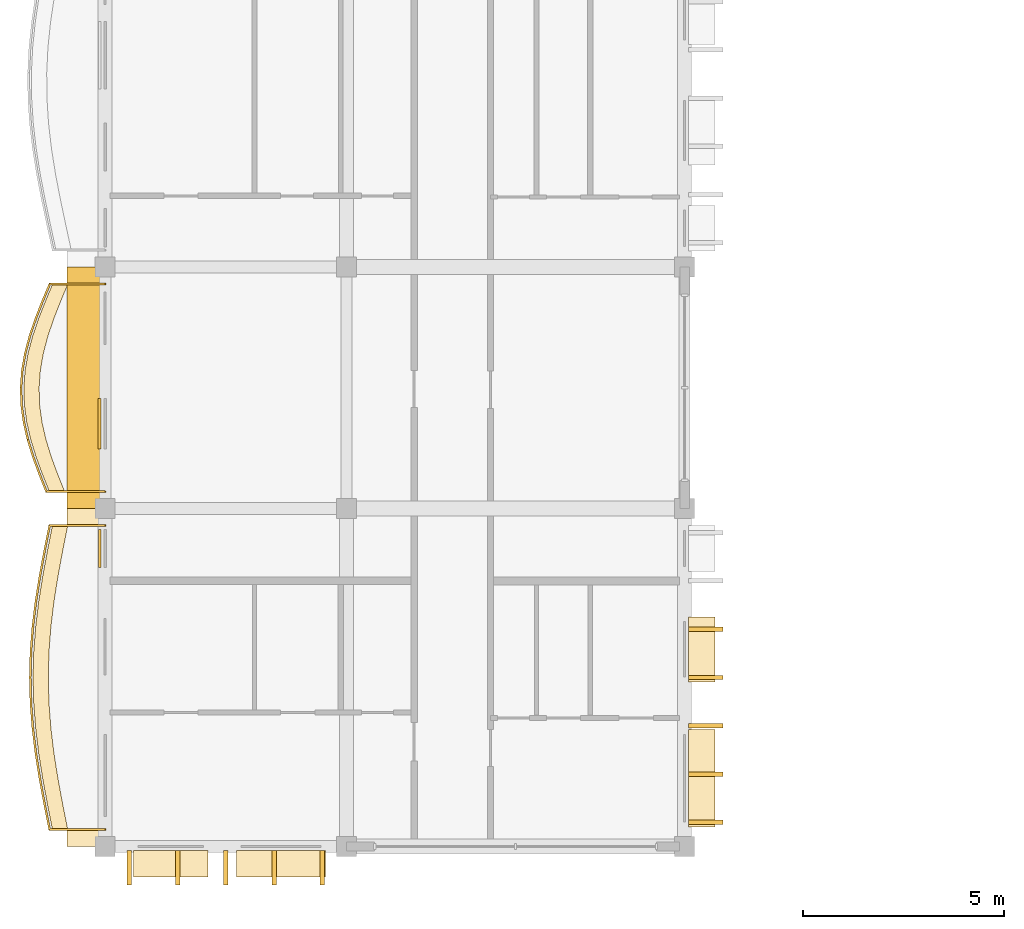
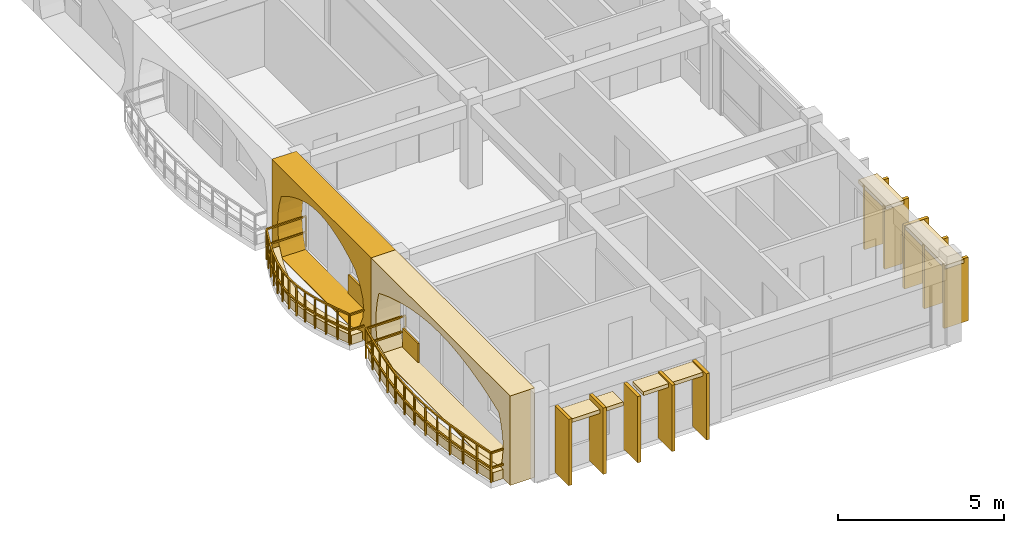
# One storey, part 8 of 10: 20 coverings, 2 railings.
"""IFC4 building model written with IfcOpenShell, lengths in metres."""

from ifc_helpers import new_model, si_unit, direction, frame, origin, origin_2d, place, context, subcontext, project, spatial, polyline, rectangle, outline, extrude, material, layer, layer_set, type_object, element, save


model = new_model("IFC4")

# Units and contexts
model_context = context("Model", 3, precision=1e-05, world=origin(), true_north=direction((0.0, 1.0)))
body_context = subcontext(model_context, "Body", "Model", "MODEL_VIEW")
ifc_project = project(units=[si_unit("LENGTHUNIT", "METRE"), si_unit("AREAUNIT", "SQUARE_METRE"), si_unit("VOLUMEUNIT", "CUBIC_METRE"), si_unit("PLANEANGLEUNIT", "RADIAN"), si_unit("MASSUNIT", "GRAM", prefix="KILO"), si_unit("THERMODYNAMICTEMPERATUREUNIT", "KELVIN")], contexts=[model_context])

# Site, building, storey
site_placement = place(None, origin())
site = spatial("IfcSite", under=ifc_project, at=site_placement, CompositionType="ELEMENT")
building_placement = place(site_placement, origin())
building = spatial("IfcBuilding", under=site, at=building_placement, Name="Thalorik Housing Commons", CompositionType="ELEMENT")
storey_placement = place(building_placement, frame((0.0, 0.0, 44.39990234375)))
storey = spatial("IfcBuildingStorey", under=building, at=storey_placement, Name="L13", CompositionType="ELEMENT", Elevation=44.39990234375)

# Coverings
ifc_material_1 = material(Name="Precast concrete C40/50", Category="concrete")
ifc_layer_1 = layer(ifc_material_1, 0.85009765625, Name="Precast concrete C40/50", Category="concrete")
ifc_layer_set_1 = layer_set([ifc_layer_1], Name="Precast concrete C40/50")
covering_type_1 = type_object("IfcCoveringType", Name="ARC-CLD-CUSH-850", PredefinedType="CLADDING", material=ifc_layer_set_1)
covering_1_placement = place(storey_placement, frame((7.87255859375, 97.800048828125, 0.0), z_axis=(0.0, 0.0, 1.0), x_axis=(0.0, -1.0, 0.0)))
element("IfcCovering", 1, at=covering_1_placement, inside=storey, type_object=covering_type_1, Name="L13 White Precast Curved Cushion Bay Frame 1287", PredefinedType="CLADDING", context=body_context, shape_type="SweptSolid", body=[
    extrude(outline(polyline([(-3.0, 0.0), (3.0, 0.0), (3.0, 3.300048828125), (-3.0, 3.300048828125), (-3.0, 0.0)]), holes=[polyline([(2.0400390625, 0.02490234375), (2.3232421875, 0.399169921875), (2.493408203125, 0.773193359375), (2.550048828125, 1.1474609375), (2.493408203125, 1.521728515625), (2.3232421875, 1.895751953125), (2.0400390625, 2.27001953125), (1.66748046875, 2.50439453125), (1.294921875, 2.6884765625), (0.922607421875, 2.837646484375), (0.550048828125, 2.948486328125), (0.177490234375, 3.016845703125), (-0.195068359375, 3.0400390625), (-0.5673828125, 3.016845703125), (-0.93994140625, 2.948486328125), (-1.3125, 2.837646484375), (-1.68505859375, 2.6884765625), (-2.0576171875, 2.50439453125), (-2.429931640625, 2.27001953125), (-2.55029296875, 1.895751953125), (-2.62255859375, 1.521728515625), (-2.646484375, 1.1474609375), (-2.62255859375, 0.773193359375), (-2.55029296875, 0.399169921875), (-2.429931640625, 0.02490234375), (2.0400390625, 0.02490234375)])]), frame((0.0, 0.425048828125, 0.0), z_axis=(0.0, -1.0, 0.0), x_axis=(1.0, 0.0, 0.0)), (0.0, 0.0, 1.0), 0.85009765625),
])
covering_2_placement = place(storey_placement, frame((7.87255859375, 90.60009765625, 0.0), z_axis=(0.0, 0.0, 1.0), x_axis=(0.0, -1.0, 0.0)))
element("IfcCovering", 2, at=covering_2_placement, inside=storey, type_object=covering_type_1, Name="L13 White Precast Curved Cushion Bay Frame 1289", PredefinedType="CLADDING", context=body_context, shape_type="SweptSolid", body=[
    extrude(outline(polyline([(-4.199951171875, 0.0), (4.199951171875, 0.0), (4.199951171875, 3.300048828125), (-4.199951171875, 3.300048828125), (-4.199951171875, 0.0)]), holes=[polyline([(3.510009765625, 0.02490234375), (3.65576171875, 0.40087890625), (3.7431640625, 0.776611328125), (3.772216796875, 1.152587890625), (3.7431640625, 1.5283203125), (3.65576171875, 1.904296875), (3.510009765625, 2.280029296875), (2.90673828125, 2.51123046875), (2.30322265625, 2.693115234375), (1.699951171875, 2.840087890625), (1.0966796875, 2.94970703125), (0.493408203125, 3.01708984375), (-0.110107421875, 3.0400390625), (-0.71337890625, 3.01708984375), (-1.316650390625, 2.94970703125), (-1.919921875, 2.840087890625), (-2.523193359375, 2.693115234375), (-3.126708984375, 2.51123046875), (-3.72998046875, 2.280029296875), (-3.8291015625, 1.904296875), (-3.888916015625, 1.5283203125), (-3.90869140625, 1.152587890625), (-3.888916015625, 0.776611328125), (-3.8291015625, 0.40087890625), (-3.72998046875, 0.02490234375), (3.510009765625, 0.02490234375)])]), frame((0.0, 0.425048828125, 0.0), z_axis=(0.0, -1.0, 0.0), x_axis=(1.0, 0.0, 0.0)), (0.0, 0.0, 1.0), 0.85009765625),
])
ifc_layer_2 = layer(ifc_material_1, 0.85009765625, Name="Precast concrete C40/50", Category="concrete")
ifc_layer_set_2 = layer_set([ifc_layer_2], Name="Precast concrete C40/50")
covering_type_2 = type_object("IfcCoveringType", Name="ARC-CLD-FIN-850", PredefinedType="CLADDING", material=ifc_layer_set_2)
for number, where, z_axis, x_axis, name in (
    (3, (9.0, 85.87255859375, 0.0400390625), (0.0, 0.0, 1.0), (1.0, 0.0, 0.0), "L13 Courtyard Precast Vertical Brise-Soleil Fin 1291"),
    (4, (10.199951171875, 85.87255859375, 0.0400390625), (0.0, 0.0, 1.0), (1.0, 0.0, 0.0), "L13 Courtyard Precast Vertical Brise-Soleil Fin 1292"),
    (5, (11.39990234375, 85.87255859375, 0.0400390625), (0.0, 0.0, 1.0), (1.0, 0.0, 0.0), "L13 Courtyard Precast Vertical Brise-Soleil Fin 1293"),
    (6, (12.60009765625, 85.87255859375, 0.0400390625), (0.0, 0.0, 1.0), (1.0, 0.0, 0.0), "L13 Courtyard Precast Vertical Brise-Soleil Fin 1294"),
    (7, (13.800048828125, 85.87255859375, 0.0400390625), (0.0, 0.0, 1.0), (1.0, 0.0, 0.0), "L13 Courtyard Precast Vertical Brise-Soleil Fin 1295"),
):
    element("IfcCovering", number, at=place(storey_placement, frame(where, z_axis=z_axis, x_axis=x_axis)), inside=storey, type_object=covering_type_2, Name=name, PredefinedType="CLADDING", context=body_context, shape_type="SweptSolid", body=[
        extrude(rectangle(XDim=0.110107421875, YDim=0.85009765625, at=origin_2d()), origin(), (0.0, 0.0, 1.0), 2.445068359375),
    ])
for number, where, z_axis, x_axis, name in (
    (8, (23.327392578125, 87.0, 0.0400390625), (0.0, 0.0, 1.0), (0.0, 1.0, 0.0), "L13 Courtyard Precast Vertical Brise-Soleil Fin 1298"),
    (9, (23.327392578125, 88.199951171875, 0.0400390625), (0.0, 0.0, 1.0), (0.0, 1.0, 0.0), "L13 Courtyard Precast Vertical Brise-Soleil Fin 1299"),
    (10, (23.327392578125, 89.39990234375, 0.0400390625), (0.0, 0.0, 1.0), (0.0, 1.0, 0.0), "L13 Courtyard Precast Vertical Brise-Soleil Fin 1300"),
    (11, (23.327392578125, 90.60009765625, 0.0400390625), (0.0, 0.0, 1.0), (0.0, 1.0, 0.0), "L13 Courtyard Precast Vertical Brise-Soleil Fin 1301"),
    (12, (23.327392578125, 91.800048828125, 0.0400390625), (0.0, 0.0, 1.0), (0.0, 1.0, 0.0), "L13 Courtyard Precast Vertical Brise-Soleil Fin 1302"),
):
    element("IfcCovering", number, at=place(storey_placement, frame(where, z_axis=z_axis, x_axis=x_axis)), inside=storey, type_object=covering_type_2, Name=name, PredefinedType="CLADDING", context=body_context, shape_type="SweptSolid", body=[
        extrude(rectangle(XDim=0.110107421875, YDim=0.85009765625, at=origin_2d()), origin(), (0.0, 0.0, 1.0), 2.344970703125),
    ])
ifc_layer_3 = layer(ifc_material_1, 0.64990234375, Name="Precast concrete C40/50", Category="concrete")
ifc_layer_set_3 = layer_set([ifc_layer_3], Name="Precast concrete C40/50")
covering_type_3 = type_object("IfcCoveringType", Name="ARC-CLD-HOOD-650", PredefinedType="CLADDING", material=ifc_layer_set_3)
covering_3_placement = place(storey_placement, frame((10.030029296875, 85.972412109375, 2.169921875), z_axis=(0.0, 0.0, 1.0), x_axis=(1.0, 0.0, 0.0)))
element("IfcCovering", 13, at=covering_3_placement, inside=storey, type_object=covering_type_3, Name="L13 Courtyard Precast Window Sun-Hood 1296", PredefinedType="CLADDING", context=body_context, shape_type="SweptSolid", body=[
    extrude(rectangle(XDim=1.860107421875, YDim=0.64990234375, at=origin_2d()), origin(), (0.0, 0.0, 1.0), 0.139892578125),
])
covering_4_placement = place(storey_placement, frame((12.77001953125, 85.972412109375, 2.2900390625), z_axis=(0.0, 0.0, 1.0), x_axis=(1.0, 0.0, 0.0)))
element("IfcCovering", 14, at=covering_4_placement, inside=storey, type_object=covering_type_3, Name="L13 Courtyard Precast Window Sun-Hood 1297", PredefinedType="CLADDING", context=body_context, shape_type="SweptSolid", body=[
    extrude(rectangle(XDim=2.219970703125, YDim=0.64990234375, at=origin_2d()), origin(), (0.0, 0.0, 1.0), 0.139892578125),
])
covering_5_placement = place(storey_placement, frame((23.2275390625, 88.094482421875, 2.27001953125), z_axis=(0.0, 0.0, 1.0), x_axis=(0.0, 1.0, 0.0)))
element("IfcCovering", 15, at=covering_5_placement, inside=storey, type_object=covering_type_3, Name="L13 Courtyard Precast Window Sun-Hood 1305", PredefinedType="CLADDING", context=body_context, shape_type="SweptSolid", body=[
    extrude(rectangle(XDim=2.419921875, YDim=0.64990234375, at=origin_2d()), origin(), (0.0, 0.0, 1.0), 0.139892578125),
])
covering_6_placement = place(storey_placement, frame((23.2275390625, 91.299560546875, 2.27001953125), z_axis=(0.0, 0.0, 1.0), x_axis=(0.0, 1.0, 0.0)))
element("IfcCovering", 16, at=covering_6_placement, inside=storey, type_object=covering_type_3, Name="L13 Courtyard Precast Window Sun-Hood 1306", PredefinedType="CLADDING", context=body_context, shape_type="SweptSolid", body=[
    extrude(rectangle(XDim=1.6201171875, YDim=0.64990234375, at=origin_2d()), origin(), (0.0, 0.0, 1.0), 0.139892578125),
])
ifc_material_2 = material(Name="Terracotta red mineral fibre-cement panel", Category="masonry")
ifc_layer_4 = layer(ifc_material_2, 0.054931640625, Name="Terracotta red mineral fibre-cement panel", Category="masonry")
ifc_layer_set_4 = layer_set([ifc_layer_4], Name="Terracotta red mineral fibre-cement panel")
covering_type_4 = type_object("IfcCoveringType", Name="ARC-CLD-RED-55", PredefinedType="CLADDING", material=ifc_layer_set_4)
covering_7_placement = place(storey_placement, frame((8.264892578125, 93.804931640625, 0.05029296875), z_axis=(0.0, 0.0, 1.0), x_axis=(0.0, -1.0, 0.0)))
element("IfcCovering", 17, at=covering_7_placement, inside=storey, type_object=covering_type_4, Name="L13 De Stijl Recessed Window Spandrel 1290", PredefinedType="CLADDING", context=body_context, shape_type="SweptSolid", body=[
    extrude(rectangle(XDim=0.949951171875, YDim=0.054931640625, at=origin_2d()), origin(), (0.0, 0.0, 1.0), 0.699951171875),
])
ifc_material_3 = material(Name="Mineral ochre architectural terracotta panel", Category="masonry")
ifc_layer_5 = layer(ifc_material_3, 0.06494140625, Name="Mineral ochre architectural terracotta panel", Category="masonry")
ifc_layer_set_5 = layer_set([ifc_layer_5], Name="Mineral ochre architectural terracotta panel")
covering_type_5 = type_object("IfcCoveringType", Name="ARC-CLD-YEL-65", PredefinedType="CLADDING", material=ifc_layer_set_5)
covering_8_placement = place(storey_placement, frame((8.260009765625, 96.909912109375, 0.05029296875), z_axis=(0.0, 0.0, 1.0), x_axis=(0.0, -1.0, 0.0)))
element("IfcCovering", 18, at=covering_8_placement, inside=storey, type_object=covering_type_5, Name="L13 De Stijl Recessed Window Spandrel 1288", PredefinedType="CLADDING", context=body_context, shape_type="SweptSolid", body=[
    extrude(rectangle(XDim=1.25, YDim=0.06494140625, at=origin_2d()), origin(), (0.0, 0.0, 1.0), 0.699951171875),
])
ifc_material_4 = material(Name="Planted vegetated substrate and terracotta trough", Category="masonry")
ifc_layer_6 = layer(ifc_material_4, 0.340087890625, Name="Planted vegetated substrate and terracotta trough", Category="masonry")
ifc_layer_set_6 = layer_set([ifc_layer_6], Name="Planted vegetated substrate and terracotta trough")
covering_type_6 = type_object("IfcCoveringType", Name="ARC-COV-PLANTER", PredefinedType="USERDEFINED", material=ifc_layer_set_6)
covering_9_placement = place(storey_placement, origin())
element("IfcCovering", 19, at=covering_9_placement, inside=storey, type_object=covering_type_6, Name="L13 Balcony Slab-Edge Planted Trough 5404", ObjectType="PLANTER", PredefinedType="USERDEFINED", context=body_context, shape_type="SweptSolid", body=[
    extrude(outline(polyline([(7.091796875, 94.3798828125), (6.9658203125, 93.75), (6.84912109375, 93.1201171875), (6.7490234375, 92.489990234375), (6.672607421875, 91.860107421875), (6.62451171875, 91.22998046875), (6.60791015625, 90.60009765625), (6.62451171875, 89.969970703125), (6.672607421875, 89.340087890625), (6.7490234375, 88.7099609375), (6.84912109375, 88.080078125), (6.9658203125, 87.449951171875), (7.091796875, 86.820068359375), (7.4716796875, 86.820068359375), (7.345703125, 87.449951171875), (7.22900390625, 88.080078125), (7.12890625, 88.7099609375), (7.052490234375, 89.340087890625), (7.00439453125, 89.969970703125), (6.988037109375, 90.60009765625), (7.00439453125, 91.22998046875), (7.052490234375, 91.860107421875), (7.12890625, 92.489990234375), (7.22900390625, 93.1201171875), (7.345703125, 93.75), (7.4716796875, 94.3798828125), (7.091796875, 94.3798828125)])), origin(), (0.0, 0.0, 1.0), 0.340087890625),
])
covering_10_placement = place(storey_placement, origin())
element("IfcCovering", 20, at=covering_10_placement, inside=storey, type_object=covering_type_6, Name="L13 Balcony Slab-Edge Planted Trough 5405", ObjectType="PLANTER", PredefinedType="USERDEFINED", context=body_context, shape_type="SweptSolid", body=[
    extrude(outline(polyline([(7.0947265625, 100.3798828125), (6.914306640625, 99.949951171875), (6.74560546875, 99.52001953125), (6.599609375, 99.090087890625), (6.4853515625, 98.659912109375), (6.410400390625, 98.22998046875), (6.379150390625, 97.800048828125), (6.393310546875, 97.3701171875), (6.451904296875, 96.93994140625), (6.551025390625, 96.510009765625), (6.68359375, 96.080078125), (6.8408203125, 95.64990234375), (7.0126953125, 95.219970703125), (7.392578125, 95.219970703125), (7.220947265625, 95.64990234375), (7.0634765625, 96.080078125), (6.930908203125, 96.510009765625), (6.83203125, 96.93994140625), (6.773193359375, 97.3701171875), (6.759033203125, 97.800048828125), (6.790283203125, 98.22998046875), (6.865478515625, 98.659912109375), (6.9794921875, 99.090087890625), (7.125732421875, 99.52001953125), (7.294189453125, 99.949951171875), (7.474853515625, 100.3798828125), (7.0947265625, 100.3798828125)])), origin(), (0.0, 0.0, 1.0), 0.340087890625),
])

# Railings
ifc_material_5 = material(Name="Steel S355", Category="steel")
railing_type_1 = type_object("IfcRailingType", Name="ARC-RL-BAL-112", PredefinedType="BALUSTRADE", material=ifc_material_5)
railing_1_placement = place(storey_placement, frame((8.39990234375, 94.3798828125, 0.0)))
element("IfcRailing", 21, at=railing_1_placement, inside=storey, type_object=railing_type_1, Name="L13 Cushion Balcony Guardrail 88", PredefinedType="BALUSTRADE", context=body_context, shape_type="SweptSolid", body=[
    extrude(rectangle(XDim=0.050048828125, YDim=0.050048828125, at=origin_2d()), frame((0.0, 0.0, 1.09521484375), z_axis=(-1.0, 0.0, 0.0), x_axis=(0.0, -1.0, 0.0)), (0.0, 0.0, 1.0), 1.378173828125),
    extrude(rectangle(XDim=0.050048828125, YDim=0.050048828125, at=origin_2d()), frame((0.0, 0.0, 0.53515625), z_axis=(-1.0, 0.0, 0.0), x_axis=(0.0, -1.0, 0.0)), (0.0, 0.0, 1.0), 1.378173828125),
    extrude(rectangle(XDim=0.050048828125, YDim=0.050048828125, at=origin_2d()), frame((-1.378173828125, 0.0, 1.09521484375), z_axis=(-0.196116135138, -0.980580675691, 0.0), x_axis=(0.980580675691, -0.196116135138, 0.0)), (0.0, 0.0, 1.0), 0.642333984375),
    extrude(rectangle(XDim=0.050048828125, YDim=0.050048828125, at=origin_2d()), frame((-1.378173828125, 0.0, 0.53515625), z_axis=(-0.196116135138, -0.980580675691, 0.0), x_axis=(0.980580675691, -0.196116135138, 0.0)), (0.0, 0.0, 1.0), 0.642333984375),
    extrude(rectangle(XDim=0.050048828125, YDim=0.050048828125, at=origin_2d()), frame((-1.504150390625, -0.6298828125, 1.09521484375), z_axis=(-0.182171142854, -0.983266838, 0.0), x_axis=(0.983266838, -0.182171142854, 0.0)), (0.0, 0.0, 1.0), 0.640625),
    extrude(rectangle(XDim=0.050048828125, YDim=0.050048828125, at=origin_2d()), frame((-1.504150390625, -0.6298828125, 0.53515625), z_axis=(-0.182171142854, -0.983266838, 0.0), x_axis=(0.983266838, -0.182171142854, 0.0)), (0.0, 0.0, 1.0), 0.640625),
    extrude(rectangle(XDim=0.050048828125, YDim=0.050048828125, at=origin_2d()), frame((-1.620849609375, -1.259765625, 1.09521484375), z_axis=(-0.156886033504, -0.987616713352, 0.0), x_axis=(0.987616713352, -0.156886033504, 0.0)), (0.0, 0.0, 1.0), 0.637939453125),
    extrude(rectangle(XDim=0.050048828125, YDim=0.050048828125, at=origin_2d()), frame((-1.620849609375, -1.259765625, 0.53515625), z_axis=(-0.156886033504, -0.987616713352, 0.0), x_axis=(0.987616713352, -0.156886033504, 0.0)), (0.0, 0.0, 1.0), 0.637939453125),
    extrude(rectangle(XDim=0.050048828125, YDim=0.050048828125, at=origin_2d()), frame((-1.720947265625, -1.889892578125, 1.09521484375), z_axis=(-0.120434786211, -0.992721240969, 0.0), x_axis=(0.992721240969, -0.120434786211, 0.0)), (0.0, 0.0, 1.0), 0.634521484375),
    extrude(rectangle(XDim=0.050048828125, YDim=0.050048828125, at=origin_2d()), frame((-1.720947265625, -1.889892578125, 0.53515625), z_axis=(-0.120434786211, -0.992721240969, 0.0), x_axis=(0.992721240969, -0.120434786211, 0.0)), (0.0, 0.0, 1.0), 0.634521484375),
    extrude(rectangle(XDim=0.050048828125, YDim=0.050048828125, at=origin_2d()), frame((-1.79736328125, -2.519775390625, 1.09521484375), z_axis=(-0.076105638419, -0.997099760205, 0.0), x_axis=(0.997099760205, -0.076105638419, 0.0)), (0.0, 0.0, 1.0), 0.632080078125),
    extrude(rectangle(XDim=0.050048828125, YDim=0.050048828125, at=origin_2d()), frame((-1.79736328125, -2.519775390625, 0.53515625), z_axis=(-0.076105638419, -0.997099760205, 0.0), x_axis=(0.997099760205, -0.076105638419, 0.0)), (0.0, 0.0, 1.0), 0.632080078125),
    extrude(rectangle(XDim=0.050048828125, YDim=0.050048828125, at=origin_2d()), frame((-1.845458984375, -3.14990234375, 1.09521484375), z_axis=(-0.025960240079, -0.999662976175, 0.0), x_axis=(0.999662976175, -0.025960240079, 0.0)), (0.0, 0.0, 1.0), 0.630126953125),
    extrude(rectangle(XDim=0.050048828125, YDim=0.050048828125, at=origin_2d()), frame((-1.845458984375, -3.14990234375, 0.53515625), z_axis=(-0.025960240079, -0.999662976175, 0.0), x_axis=(0.999662976175, -0.025960240079, 0.0)), (0.0, 0.0, 1.0), 0.630126953125),
    extrude(rectangle(XDim=0.050048828125, YDim=0.050048828125, at=origin_2d()), frame((-1.86181640625, -3.77978515625, 1.09521484375), z_axis=(0.025950188644, -0.99966323715, 0.0), x_axis=(0.99966323715, 0.025950188644, 0.0)), (0.0, 0.0, 1.0), 0.63037109375),
    extrude(rectangle(XDim=0.050048828125, YDim=0.050048828125, at=origin_2d()), frame((-1.86181640625, -3.77978515625, 0.53515625), z_axis=(0.025950188644, -0.99966323715, 0.0), x_axis=(0.99966323715, 0.025950188644, 0.0)), (0.0, 0.0, 1.0), 0.63037109375),
    extrude(rectangle(XDim=0.050048828125, YDim=0.050048828125, at=origin_2d()), frame((-1.845458984375, -4.409912109375, 1.09521484375), z_axis=(0.076134965774, -0.997097521302, 0.0), x_axis=(0.997097521302, 0.076134965774, 0.0)), (0.0, 0.0, 1.0), 0.6318359375),
    extrude(rectangle(XDim=0.050048828125, YDim=0.050048828125, at=origin_2d()), frame((-1.845458984375, -4.409912109375, 0.53515625), z_axis=(0.076134965774, -0.997097521302, 0.0), x_axis=(0.997097521302, 0.076134965774, 0.0)), (0.0, 0.0, 1.0), 0.6318359375),
    extrude(rectangle(XDim=0.050048828125, YDim=0.050048828125, at=origin_2d()), frame((-1.79736328125, -5.039794921875, 1.09521484375), z_axis=(0.120388800571, -0.992726818766, 0.0), x_axis=(0.992726818766, 0.120388800571, 0.0)), (0.0, 0.0, 1.0), 0.634765625),
    extrude(rectangle(XDim=0.050048828125, YDim=0.050048828125, at=origin_2d()), frame((-1.79736328125, -5.039794921875, 0.53515625), z_axis=(0.120388800571, -0.992726818766, 0.0), x_axis=(0.992726818766, 0.120388800571, 0.0)), (0.0, 0.0, 1.0), 0.634765625),
    extrude(rectangle(XDim=0.050048828125, YDim=0.050048828125, at=origin_2d()), frame((-1.720947265625, -5.669921875, 1.09521484375), z_axis=(0.156945344501, -0.987607289787, 0.0), x_axis=(0.987607289787, 0.156945344501, 0.0)), (0.0, 0.0, 1.0), 0.6376953125),
    extrude(rectangle(XDim=0.050048828125, YDim=0.050048828125, at=origin_2d()), frame((-1.720947265625, -5.669921875, 0.53515625), z_axis=(0.156945344501, -0.987607289787, 0.0), x_axis=(0.987607289787, 0.156945344501, 0.0)), (0.0, 0.0, 1.0), 0.6376953125),
    extrude(rectangle(XDim=0.050048828125, YDim=0.050048828125, at=origin_2d()), frame((-1.620849609375, -6.2998046875, 1.09521484375), z_axis=(0.18210290227, -0.983279478574, 0.0), x_axis=(0.983279478574, 0.18210290227, 0.0)), (0.0, 0.0, 1.0), 0.640869140625),
    extrude(rectangle(XDim=0.050048828125, YDim=0.050048828125, at=origin_2d()), frame((-1.620849609375, -6.2998046875, 0.53515625), z_axis=(0.18210290227, -0.983279478574, 0.0), x_axis=(0.983279478574, 0.18210290227, 0.0)), (0.0, 0.0, 1.0), 0.640869140625),
    extrude(rectangle(XDim=0.050048828125, YDim=0.050048828125, at=origin_2d()), frame((-1.504150390625, -6.929931640625, 1.09521484375), z_axis=(0.196116135138, -0.980580675691, 0.0), x_axis=(0.980580675691, 0.196116135138, 0.0)), (0.0, 0.0, 1.0), 0.642333984375),
    extrude(rectangle(XDim=0.050048828125, YDim=0.050048828125, at=origin_2d()), frame((-1.504150390625, -6.929931640625, 0.53515625), z_axis=(0.196116135138, -0.980580675691, 0.0), x_axis=(0.980580675691, 0.196116135138, 0.0)), (0.0, 0.0, 1.0), 0.642333984375),
    extrude(rectangle(XDim=0.050048828125, YDim=0.050048828125, at=origin_2d()), frame((-1.378173828125, -7.559814453125, 1.09521484375), z_axis=(1.0, 0.0, 0.0), x_axis=(0.0, 1.0, 0.0)), (0.0, 0.0, 1.0), 1.378173828125),
    extrude(rectangle(XDim=0.050048828125, YDim=0.050048828125, at=origin_2d()), frame((-1.378173828125, -7.559814453125, 0.53515625), z_axis=(1.0, 0.0, 0.0), x_axis=(0.0, 1.0, 0.0)), (0.0, 0.0, 1.0), 1.378173828125),
    extrude(rectangle(XDim=0.0419921875, YDim=0.0419921875, at=origin_2d()), origin(), (0.0, 0.0, 1.0), 1.070068359375),
    extrude(rectangle(XDim=0.0419921875, YDim=0.0419921875, at=origin_2d()), frame((-1.378173828125, 0.0, 0.0)), (0.0, 0.0, 1.0), 1.070068359375),
    extrude(rectangle(XDim=0.0419921875, YDim=0.0419921875, at=origin_2d()), frame((-1.504150390625, -0.6298828125, 0.0)), (0.0, 0.0, 1.0), 1.070068359375),
    extrude(rectangle(XDim=0.0419921875, YDim=0.0419921875, at=origin_2d()), frame((-1.620849609375, -1.259765625, 0.0)), (0.0, 0.0, 1.0), 1.070068359375),
    extrude(rectangle(XDim=0.0419921875, YDim=0.0419921875, at=origin_2d()), frame((-1.720947265625, -1.889892578125, 0.0)), (0.0, 0.0, 1.0), 1.070068359375),
    extrude(rectangle(XDim=0.0419921875, YDim=0.0419921875, at=origin_2d()), frame((-1.79736328125, -2.519775390625, 0.0)), (0.0, 0.0, 1.0), 1.070068359375),
    extrude(rectangle(XDim=0.0419921875, YDim=0.0419921875, at=origin_2d()), frame((-1.845458984375, -3.14990234375, 0.0)), (0.0, 0.0, 1.0), 1.070068359375),
    extrude(rectangle(XDim=0.0419921875, YDim=0.0419921875, at=origin_2d()), frame((-1.86181640625, -3.77978515625, 0.0)), (0.0, 0.0, 1.0), 1.070068359375),
    extrude(rectangle(XDim=0.0419921875, YDim=0.0419921875, at=origin_2d()), frame((-1.845458984375, -4.409912109375, 0.0)), (0.0, 0.0, 1.0), 1.070068359375),
    extrude(rectangle(XDim=0.0419921875, YDim=0.0419921875, at=origin_2d()), frame((-1.79736328125, -5.039794921875, 0.0)), (0.0, 0.0, 1.0), 1.070068359375),
    extrude(rectangle(XDim=0.0419921875, YDim=0.0419921875, at=origin_2d()), frame((-1.720947265625, -5.669921875, 0.0)), (0.0, 0.0, 1.0), 1.070068359375),
    extrude(rectangle(XDim=0.0419921875, YDim=0.0419921875, at=origin_2d()), frame((-1.620849609375, -6.2998046875, 0.0)), (0.0, 0.0, 1.0), 1.070068359375),
    extrude(rectangle(XDim=0.0419921875, YDim=0.0419921875, at=origin_2d()), frame((-1.504150390625, -6.929931640625, 0.0)), (0.0, 0.0, 1.0), 1.070068359375),
    extrude(rectangle(XDim=0.0419921875, YDim=0.0419921875, at=origin_2d()), frame((-1.378173828125, -7.559814453125, 0.0)), (0.0, 0.0, 1.0), 1.070068359375),
    extrude(rectangle(XDim=0.0419921875, YDim=0.0419921875, at=origin_2d()), frame((0.0, -7.559814453125, 0.0)), (0.0, 0.0, 1.0), 1.070068359375),
])
railing_type_2 = type_object("IfcRailingType", Name="ARC-RL-BAL-115", PredefinedType="BALUSTRADE", material=ifc_material_5)
railing_2_placement = place(storey_placement, frame((8.39990234375, 100.3798828125, 0.0)))
element("IfcRailing", 22, at=railing_2_placement, inside=storey, type_object=railing_type_2, Name="L13 Cushion Balcony Guardrail 89", PredefinedType="BALUSTRADE", context=body_context, shape_type="SweptSolid", body=[
    extrude(rectangle(XDim=0.050048828125, YDim=0.050048828125, at=origin_2d()), frame((0.0, 0.0, 1.125), z_axis=(-1.0, 0.0, 0.0), x_axis=(0.0, -1.0, 0.0)), (0.0, 0.0, 1.0), 1.375),
    extrude(rectangle(XDim=0.050048828125, YDim=0.050048828125, at=origin_2d()), frame((0.0, 0.0, 0.5498046875), z_axis=(-1.0, 0.0, 0.0), x_axis=(0.0, -1.0, 0.0)), (0.0, 0.0, 1.0), 1.375),
    extrude(rectangle(XDim=0.050048828125, YDim=0.050048828125, at=origin_2d()), frame((-1.375, 0.0, 1.125), z_axis=(-0.387401583544, -0.921911065704, 0.0), x_axis=(0.921911065704, -0.387401583544, 0.0)), (0.0, 0.0, 1.0), 0.46630859375),
    extrude(rectangle(XDim=0.050048828125, YDim=0.050048828125, at=origin_2d()), frame((-1.375, 0.0, 0.5498046875), z_axis=(-0.387401583544, -0.921911065704, 0.0), x_axis=(0.921911065704, -0.387401583544, 0.0)), (0.0, 0.0, 1.0), 0.46630859375),
    extrude(rectangle(XDim=0.050048828125, YDim=0.050048828125, at=origin_2d()), frame((-1.5556640625, -0.429931640625, 1.125), z_axis=(-0.364817955314, -0.931078868561, 0.0), x_axis=(0.931078868561, -0.364817955314, 0.0)), (0.0, 0.0, 1.0), 0.461669921875),
    extrude(rectangle(XDim=0.050048828125, YDim=0.050048828125, at=origin_2d()), frame((-1.5556640625, -0.429931640625, 0.5498046875), z_axis=(-0.364817955314, -0.931078868561, 0.0), x_axis=(0.931078868561, -0.364817955314, 0.0)), (0.0, 0.0, 1.0), 0.461669921875),
    extrude(rectangle(XDim=0.050048828125, YDim=0.050048828125, at=origin_2d()), frame((-1.72412109375, -0.85986328125, 1.125), z_axis=(-0.322028024828, -0.94673013643, 0.0), x_axis=(0.94673013643, -0.322028024828, 0.0)), (0.0, 0.0, 1.0), 0.4541015625),
    extrude(rectangle(XDim=0.050048828125, YDim=0.050048828125, at=origin_2d()), frame((-1.72412109375, -0.85986328125, 0.5498046875), z_axis=(-0.322028024828, -0.94673013643, 0.0), x_axis=(0.94673013643, -0.322028024828, 0.0)), (0.0, 0.0, 1.0), 0.4541015625),
    extrude(rectangle(XDim=0.050048828125, YDim=0.050048828125, at=origin_2d()), frame((-1.870361328125, -1.289794921875, 1.125), z_axis=(-0.256706600322, -0.966489379844, 0.0), x_axis=(0.966489379844, -0.256706600322, 0.0)), (0.0, 0.0, 1.0), 0.445068359375),
    extrude(rectangle(XDim=0.050048828125, YDim=0.050048828125, at=origin_2d()), frame((-1.870361328125, -1.289794921875, 0.5498046875), z_axis=(-0.256706600322, -0.966489379844, 0.0), x_axis=(0.966489379844, -0.256706600322, 0.0)), (0.0, 0.0, 1.0), 0.445068359375),
    extrude(rectangle(XDim=0.050048828125, YDim=0.050048828125, at=origin_2d()), frame((-1.984619140625, -1.719970703125, 1.125), z_axis=(-0.171742507217, -0.985141873648, 0.0), x_axis=(0.985141873648, -0.171742507217, 0.0)), (0.0, 0.0, 1.0), 0.4365234375),
    extrude(rectangle(XDim=0.050048828125, YDim=0.050048828125, at=origin_2d()), frame((-1.984619140625, -1.719970703125, 0.5498046875), z_axis=(-0.171742507217, -0.985141873648, 0.0), x_axis=(0.985141873648, -0.171742507217, 0.0)), (0.0, 0.0, 1.0), 0.4365234375),
    extrude(rectangle(XDim=0.050048828125, YDim=0.050048828125, at=origin_2d()), frame((-2.0595703125, -2.14990234375, 1.125), z_axis=(-0.072494722254, -0.997368796005, 0.0), x_axis=(0.997368796005, -0.072494722254, 0.0)), (0.0, 0.0, 1.0), 0.43115234375),
    extrude(rectangle(XDim=0.050048828125, YDim=0.050048828125, at=origin_2d()), frame((-2.0595703125, -2.14990234375, 0.5498046875), z_axis=(-0.072494722254, -0.997368796005, 0.0), x_axis=(0.997368796005, -0.072494722254, 0.0)), (0.0, 0.0, 1.0), 0.43115234375),
    extrude(rectangle(XDim=0.050048828125, YDim=0.050048828125, at=origin_2d()), frame((-2.0908203125, -2.579833984375, 1.125), z_axis=(0.032917982549, -0.999458056361, 0.0), x_axis=(0.999458056361, 0.032917982549, 0.0)), (0.0, 0.0, 1.0), 0.43017578125),
    extrude(rectangle(XDim=0.050048828125, YDim=0.050048828125, at=origin_2d()), frame((-2.0908203125, -2.579833984375, 0.5498046875), z_axis=(0.032917982549, -0.999458056361, 0.0), x_axis=(0.999458056361, 0.032917982549, 0.0)), (0.0, 0.0, 1.0), 0.43017578125),
    extrude(rectangle(XDim=0.050048828125, YDim=0.050048828125, at=origin_2d()), frame((-2.07666015625, -3.009765625, 1.125), z_axis=(0.13551467467, -0.990775339292, 0.0), x_axis=(0.990775339292, 0.13551467467, 0.0)), (0.0, 0.0, 1.0), 0.43408203125),
    extrude(rectangle(XDim=0.050048828125, YDim=0.050048828125, at=origin_2d()), frame((-2.07666015625, -3.009765625, 0.5498046875), z_axis=(0.13551467467, -0.990775339292, 0.0), x_axis=(0.990775339292, 0.13551467467, 0.0)), (0.0, 0.0, 1.0), 0.43408203125),
    extrude(rectangle(XDim=0.050048828125, YDim=0.050048828125, at=origin_2d()), frame((-2.017822265625, -3.43994140625, 1.125), z_axis=(0.224131924666, -0.974558813179, 0.0), x_axis=(0.974558813179, 0.224131924666, 0.0)), (0.0, 0.0, 1.0), 0.441162109375),
    extrude(rectangle(XDim=0.050048828125, YDim=0.050048828125, at=origin_2d()), frame((-2.017822265625, -3.43994140625, 0.5498046875), z_axis=(0.224131924666, -0.974558813179, 0.0), x_axis=(0.974558813179, 0.224131924666, 0.0)), (0.0, 0.0, 1.0), 0.441162109375),
    extrude(rectangle(XDim=0.050048828125, YDim=0.050048828125, at=origin_2d()), frame((-1.9189453125, -3.869873046875, 1.125), z_axis=(0.29465777633, -0.955602843679, 0.0), x_axis=(0.955602843679, 0.29465777633, 0.0)), (0.0, 0.0, 1.0), 0.449951171875),
    extrude(rectangle(XDim=0.050048828125, YDim=0.050048828125, at=origin_2d()), frame((-1.9189453125, -3.869873046875, 0.5498046875), z_axis=(0.29465777633, -0.955602843679, 0.0), x_axis=(0.955602843679, 0.29465777633, 0.0)), (0.0, 0.0, 1.0), 0.449951171875),
    extrude(rectangle(XDim=0.050048828125, YDim=0.050048828125, at=origin_2d()), frame((-1.786376953125, -4.2998046875, 1.125), z_axis=(0.343753490328, -0.939059922416, 0.0), x_axis=(0.939059922416, 0.343753490328, 0.0)), (0.0, 0.0, 1.0), 0.4580078125),
    extrude(rectangle(XDim=0.050048828125, YDim=0.050048828125, at=origin_2d()), frame((-1.786376953125, -4.2998046875, 0.5498046875), z_axis=(0.343753490328, -0.939059922416, 0.0), x_axis=(0.939059922416, 0.343753490328, 0.0)), (0.0, 0.0, 1.0), 0.4580078125),
    extrude(rectangle(XDim=0.050048828125, YDim=0.050048828125, at=origin_2d()), frame((-1.62890625, -4.72998046875, 1.125), z_axis=(0.370754085774, -0.928731074037, 0.0), x_axis=(0.928731074037, 0.370754085774, 0.0)), (0.0, 0.0, 1.0), 0.462890625),
    extrude(rectangle(XDim=0.050048828125, YDim=0.050048828125, at=origin_2d()), frame((-1.62890625, -4.72998046875, 0.5498046875), z_axis=(0.370754085774, -0.928731074037, 0.0), x_axis=(0.928731074037, 0.370754085774, 0.0)), (0.0, 0.0, 1.0), 0.462890625),
    extrude(rectangle(XDim=0.050048828125, YDim=0.050048828125, at=origin_2d()), frame((-1.457275390625, -5.159912109375, 1.125), z_axis=(1.0, 0.0, 0.0), x_axis=(0.0, 1.0, 0.0)), (0.0, 0.0, 1.0), 1.457275390625),
    extrude(rectangle(XDim=0.050048828125, YDim=0.050048828125, at=origin_2d()), frame((-1.457275390625, -5.159912109375, 0.5498046875), z_axis=(1.0, 0.0, 0.0), x_axis=(0.0, 1.0, 0.0)), (0.0, 0.0, 1.0), 1.457275390625),
    extrude(rectangle(XDim=0.0419921875, YDim=0.0419921875, at=origin_2d()), origin(), (0.0, 0.0, 1.0), 1.099853515625),
    extrude(rectangle(XDim=0.0419921875, YDim=0.0419921875, at=origin_2d()), frame((-1.375, 0.0, 0.0)), (0.0, 0.0, 1.0), 1.099853515625),
    extrude(rectangle(XDim=0.0419921875, YDim=0.0419921875, at=origin_2d()), frame((-1.5556640625, -0.429931640625, 0.0)), (0.0, 0.0, 1.0), 1.099853515625),
    extrude(rectangle(XDim=0.0419921875, YDim=0.0419921875, at=origin_2d()), frame((-1.72412109375, -0.85986328125, 0.0)), (0.0, 0.0, 1.0), 1.099853515625),
    extrude(rectangle(XDim=0.0419921875, YDim=0.0419921875, at=origin_2d()), frame((-1.870361328125, -1.289794921875, 0.0)), (0.0, 0.0, 1.0), 1.099853515625),
    extrude(rectangle(XDim=0.0419921875, YDim=0.0419921875, at=origin_2d()), frame((-1.984619140625, -1.719970703125, 0.0)), (0.0, 0.0, 1.0), 1.099853515625),
    extrude(rectangle(XDim=0.0419921875, YDim=0.0419921875, at=origin_2d()), frame((-2.0595703125, -2.14990234375, 0.0)), (0.0, 0.0, 1.0), 1.099853515625),
    extrude(rectangle(XDim=0.0419921875, YDim=0.0419921875, at=origin_2d()), frame((-2.0908203125, -2.579833984375, 0.0)), (0.0, 0.0, 1.0), 1.099853515625),
    extrude(rectangle(XDim=0.0419921875, YDim=0.0419921875, at=origin_2d()), frame((-2.07666015625, -3.009765625, 0.0)), (0.0, 0.0, 1.0), 1.099853515625),
    extrude(rectangle(XDim=0.0419921875, YDim=0.0419921875, at=origin_2d()), frame((-2.017822265625, -3.43994140625, 0.0)), (0.0, 0.0, 1.0), 1.099853515625),
    extrude(rectangle(XDim=0.0419921875, YDim=0.0419921875, at=origin_2d()), frame((-1.9189453125, -3.869873046875, 0.0)), (0.0, 0.0, 1.0), 1.099853515625),
    extrude(rectangle(XDim=0.0419921875, YDim=0.0419921875, at=origin_2d()), frame((-1.786376953125, -4.2998046875, 0.0)), (0.0, 0.0, 1.0), 1.099853515625),
    extrude(rectangle(XDim=0.0419921875, YDim=0.0419921875, at=origin_2d()), frame((-1.62890625, -4.72998046875, 0.0)), (0.0, 0.0, 1.0), 1.099853515625),
    extrude(rectangle(XDim=0.0419921875, YDim=0.0419921875, at=origin_2d()), frame((-1.457275390625, -5.159912109375, 0.0)), (0.0, 0.0, 1.0), 1.099853515625),
    extrude(rectangle(XDim=0.0419921875, YDim=0.0419921875, at=origin_2d()), frame((0.0, -5.159912109375, 0.0)), (0.0, 0.0, 1.0), 1.099853515625),
])

save(model, "model.ifc")
